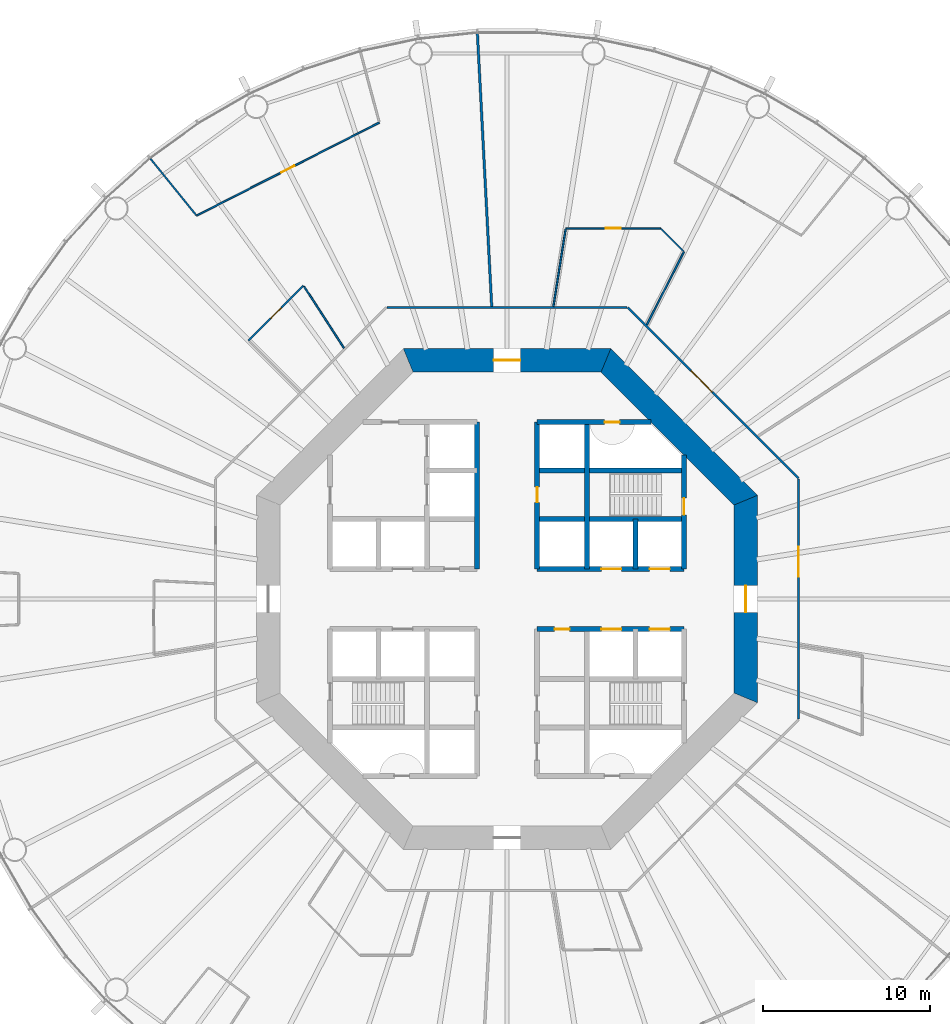
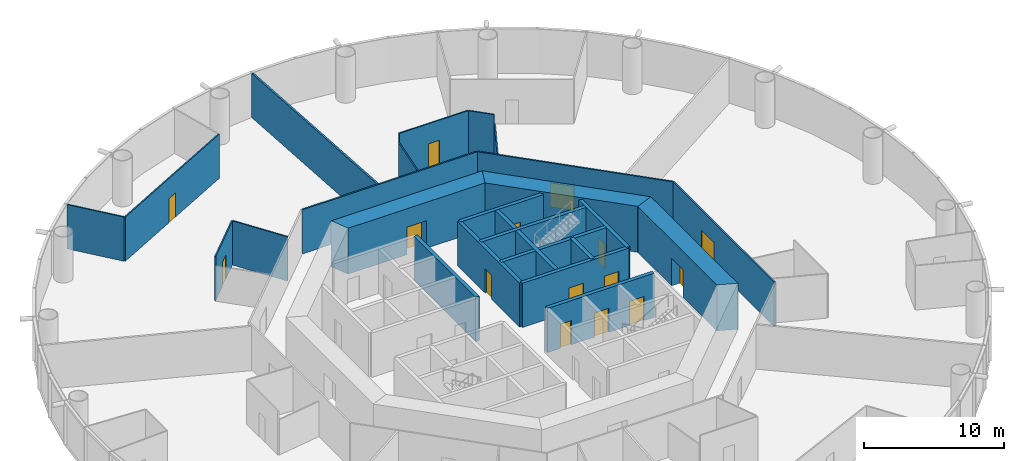
# One storey, part 5 of 13: 25 walls, 15 doors, 15 openings.
"""IFC4 building model written with IfcOpenShell, lengths in metres."""

from ifc_helpers import new_model, si_unit, direction, frame, frame_2d, origin, place, context, subcontext, project, spatial, polyline, rectangle, outline, extrude, material, layer, layer_set, type_object, element, fill, save


model = new_model("IFC4")

# Units and contexts
model_context = context("Model", 3, precision=1e-05, world=origin(), true_north=direction((0.0, 1.0)))
body_context = subcontext(model_context, "Body", "Model", "MODEL_VIEW")
ifc_project = project(units=[si_unit("LENGTHUNIT", "METRE"), si_unit("AREAUNIT", "SQUARE_METRE"), si_unit("VOLUMEUNIT", "CUBIC_METRE"), si_unit("PLANEANGLEUNIT", "RADIAN"), si_unit("MASSUNIT", "GRAM", prefix="KILO")], contexts=[model_context])

# Site, building, storey
site_placement = place(None, origin())
site = spatial("IfcSite", under=ifc_project, at=site_placement, CompositionType="ELEMENT")
building_placement = place(site_placement, origin())
building = spatial("IfcBuilding", under=site, at=building_placement, Name="Entoto Ring Tower", CompositionType="ELEMENT")
storey_placement = place(building_placement, frame((0.0, 0.0, 34.0)))
storey = spatial("IfcBuildingStorey", under=building, at=storey_placement, Name="L06", CompositionType="ELEMENT", Elevation=34.0)

# Wall, opening, door
ifc_material_1 = material(Name="Concrete C40/50", Category="concrete")
ifc_layer_1 = layer(ifc_material_1, 0.300048828125)
ifc_layer_set_1 = layer_set([ifc_layer_1], Name="Concrete C40/50")
wall_type_1 = type_object("IfcWallType", Name="Core enclosure wall 300 mm reinforced concrete", PredefinedType="SOLIDWALL", material=ifc_layer_set_1)
wall_1_placement = place(storey_placement, frame((100.60009765625, 81.800048828125, 0.0), z_axis=(0.0, 0.0, 1.0), x_axis=(0.0, 1.0, 0.0)))
wall_1 = element("IfcWall", 1, at=wall_1_placement, inside=storey, type_object=wall_type_1, Name="wall-L06-002", PredefinedType="SOLIDWALL", context=body_context, shape_type="SweptSolid", body=[
    extrude(rectangle(XDim=6.833251953125, YDim=0.300048828125, at=frame_2d((3.41650390625, 0.0))), origin(), (0.0, 0.0, 1.0), 3.85009765625),
])
opening_1_placement = place(wall_1_placement, frame((3.25, 0.0, 0.0)))
opening_1 = element("IfcOpeningElement", 2, at=opening_1_placement, cuts=wall_1, Name="Opening K-17", PredefinedType="OPENING", context=body_context, shape_type="SweptSolid", body=[
    extrude(rectangle(XDim=1.0, YDim=2.10009765625, at=frame_2d((0.5, 1.050048828125))), frame((0.0, 0.16015625, 0.0), z_axis=(0.0, -1.0, 0.0), x_axis=(1.0, 0.0, 0.0)), (0.0, 0.0, 1.0), 0.320068359375),
])
ifc_material_2 = material(Name="Steel door leaf, fire rated", Category="steel")
ifc_layer_2 = layer(ifc_material_2, 0.050048828125)
ifc_layer_set_2 = layer_set([ifc_layer_2], Name="Steel door leaf, fire rated")
door_type_1 = type_object("IfcDoorType", Name="Fire door FD60 1000 x 2100 single leaf", OperationType="NOTDEFINED", PredefinedType="DOOR", material=ifc_layer_set_2)
door_1_placement = place(opening_1_placement, origin())
door_1 = element("IfcDoor", 3, at=door_1_placement, inside=storey, type_object=door_type_1, Name="Door K-17", OperationType="SINGLE_SWING_RIGHT", OverallHeight=2.10009765625, OverallWidth=1.0, PredefinedType="DOOR", context=body_context, shape_type="SweptSolid", body=[
    extrude(rectangle(XDim=1.0, YDim=2.10009765625, at=frame_2d((0.5, 1.050048828125))), frame((0.0, 0.02490234375, 0.0), z_axis=(0.0, -1.0, 0.0), x_axis=(1.0, 0.0, 0.0)), (0.0, 0.0, 1.0), 0.050048828125),
])
fill(opening_1, door_1)

# Walls
wall_2_placement = place(storey_placement, frame((97.699951171875, 81.800048828125, 0.0), z_axis=(0.0, 0.0, 1.0), x_axis=(0.0, 1.0, 0.0)))
element("IfcWall", 4, at=wall_2_placement, inside=storey, type_object=wall_type_1, Name="wall-L06-004", PredefinedType="SOLIDWALL", context=body_context, shape_type="SweptSolid", body=[
    extrude(rectangle(XDim=3.0, YDim=0.300048828125, at=frame_2d((1.5, 0.0))), origin(), (0.0, 0.0, 1.0), 3.85009765625),
])
wall_3_placement = place(storey_placement, frame((94.800048828125, 81.800048828125, 0.0), z_axis=(0.0, 0.0, 1.0), x_axis=(0.0, 1.0, 0.0)))
element("IfcWall", 5, at=wall_3_placement, inside=storey, type_object=wall_type_1, Name="wall-L06-006", PredefinedType="SOLIDWALL", context=body_context, shape_type="SweptSolid", body=[
    extrude(rectangle(XDim=8.800048828125, YDim=0.300048828125, at=frame_2d((4.39990234375, 0.0))), origin(), (0.0, 0.0, 1.0), 3.85009765625),
])

# Wall, opening, door
wall_4_placement = place(storey_placement, frame((91.800048828125, 81.800048828125, 0.0), z_axis=(0.0, 0.0, 1.0), x_axis=(0.0, 1.0, 0.0)))
wall_4 = element("IfcWall", 6, at=wall_4_placement, inside=storey, type_object=wall_type_1, Name="wall-L06-008", PredefinedType="SOLIDWALL", context=body_context, shape_type="SweptSolid", body=[
    extrude(rectangle(XDim=8.800048828125, YDim=0.300048828125, at=frame_2d((4.39990234375, 0.0))), origin(), (0.0, 0.0, 1.0), 3.85009765625),
])
opening_2_placement = place(wall_4_placement, frame((4.0, 0.0, 0.0)))
opening_2 = element("IfcOpeningElement", 7, at=opening_2_placement, cuts=wall_4, Name="Opening K-11", PredefinedType="OPENING", context=body_context, shape_type="SweptSolid", body=[
    extrude(rectangle(XDim=0.89990234375, YDim=2.10009765625, at=frame_2d((0.449951171875, 1.050048828125))), frame((0.0, 0.16015625, 0.0), z_axis=(0.0, -1.0, 0.0), x_axis=(1.0, 0.0, 0.0)), (0.0, 0.0, 1.0), 0.320068359375),
])
ifc_material_3 = material(Name="Steel door leaf, fire rated", Category="steel")
ifc_layer_3 = layer(ifc_material_3, 0.050048828125)
ifc_layer_set_3 = layer_set([ifc_layer_3], Name="Steel door leaf, fire rated")
door_type_2 = type_object("IfcDoorType", Name="Core door 900 x 2100 single leaf", OperationType="NOTDEFINED", PredefinedType="DOOR", material=ifc_layer_set_3)
door_2_placement = place(opening_2_placement, origin())
door_2 = element("IfcDoor", 8, at=door_2_placement, inside=storey, type_object=door_type_2, Name="Door K-11", OperationType="SINGLE_SWING_RIGHT", OverallHeight=2.10009765625, OverallWidth=0.89990234375, PredefinedType="DOOR", context=body_context, shape_type="SweptSolid", body=[
    extrude(rectangle(XDim=0.89990234375, YDim=2.10009765625, at=frame_2d((0.449951171875, 1.050048828125))), frame((0.0, 0.02490234375, 0.0), z_axis=(0.0, -1.0, 0.0), x_axis=(1.0, 0.0, 0.0)), (0.0, 0.0, 1.0), 0.050048828125),
])
fill(opening_2, door_2)

# Wall
wall_5_placement = place(storey_placement, frame((88.199951171875, 81.800048828125, 0.0), z_axis=(0.0, 0.0, 1.0), x_axis=(0.0, 1.0, 0.0)))
element("IfcWall", 9, at=wall_5_placement, inside=storey, type_object=wall_type_1, Name="wall-L06-010", PredefinedType="SOLIDWALL", context=body_context, shape_type="SweptSolid", body=[
    extrude(rectangle(XDim=8.800048828125, YDim=0.300048828125, at=frame_2d((4.39990234375, 0.0))), origin(), (0.0, 0.0, 1.0), 3.85009765625),
])

# Wall, openings, doors
wall_6_placement = place(storey_placement, frame((91.800048828125, 78.199951171875, 0.0), z_axis=(0.0, 0.0, 1.0), x_axis=(1.0, 0.0, 0.0)))
wall_6 = element("IfcWall", 10, at=wall_6_placement, inside=storey, type_object=wall_type_1, Name="wall-L06-024", PredefinedType="SOLIDWALL", context=body_context, shape_type="SweptSolid", body=[
    extrude(rectangle(XDim=8.800048828125, YDim=0.300048828125, at=frame_2d((4.39990234375, 0.0))), origin(), (0.0, 0.0, 1.0), 3.85009765625),
])
opening_3_placement = place(wall_6_placement, frame((3.85009765625, 0.0, 0.0)))
opening_3 = element("IfcOpeningElement", 11, at=opening_3_placement, cuts=wall_6, Name="Opening LD", PredefinedType="OPENING", context=body_context, shape_type="SweptSolid", body=[
    extrude(rectangle(XDim=1.199951171875, YDim=2.10009765625, at=frame_2d((0.60009765625, 1.050048828125))), frame((0.0, 0.16015625, 0.0), z_axis=(0.0, -1.0, 0.0), x_axis=(1.0, 0.0, 0.0)), (0.0, 0.0, 1.0), 0.320068359375),
])
opening_4_placement = place(wall_6_placement, frame((6.75, 0.0, 0.0)))
opening_4 = element("IfcOpeningElement", 12, at=opening_4_placement, cuts=wall_6, Name="Opening LD", PredefinedType="OPENING", context=body_context, shape_type="SweptSolid", body=[
    extrude(rectangle(XDim=1.199951171875, YDim=2.10009765625, at=frame_2d((0.60009765625, 1.050048828125))), frame((0.0, 0.16015625, 0.0), z_axis=(0.0, -1.0, 0.0), x_axis=(1.0, 0.0, 0.0)), (0.0, 0.0, 1.0), 0.320068359375),
])
opening_5_placement = place(wall_6_placement, frame((1.050048828125, 0.0, 0.0)))
opening_5 = element("IfcOpeningElement", 13, at=opening_5_placement, cuts=wall_6, Name="Opening K-16", PredefinedType="OPENING", context=body_context, shape_type="SweptSolid", body=[
    extrude(rectangle(XDim=0.89990234375, YDim=2.10009765625, at=frame_2d((0.449951171875, 1.050048828125))), frame((0.0, 0.16015625, 0.0), z_axis=(0.0, -1.0, 0.0), x_axis=(1.0, 0.0, 0.0)), (0.0, 0.0, 1.0), 0.320068359375),
])
door_3_placement = place(opening_5_placement, frame((0.89990234375, 0.0, 0.0), z_axis=(0.0, 0.0, 1.0), x_axis=(-1.0, 0.0, 0.0)))
door_3 = element("IfcDoor", 14, at=door_3_placement, inside=storey, type_object=door_type_2, Name="Door K-16", OperationType="SINGLE_SWING_RIGHT", OverallHeight=2.10009765625, OverallWidth=0.89990234375, PredefinedType="DOOR", context=body_context, shape_type="SweptSolid", body=[
    extrude(rectangle(XDim=0.89990234375, YDim=2.10009765625, at=frame_2d((0.449951171875, 1.050048828125))), frame((0.0, 0.02490234375, 0.0), z_axis=(0.0, -1.0, 0.0), x_axis=(1.0, 0.0, 0.0)), (0.0, 0.0, 1.0), 0.050048828125),
])
fill(opening_5, door_3)
ifc_material_4 = material(Name="Steel and glass door leaf", Category="steel")
ifc_layer_4 = layer(ifc_material_4, 0.050048828125)
ifc_layer_set_4 = layer_set([ifc_layer_4], Name="Steel and glass door leaf")
door_type_3 = type_object("IfcDoorType", Name="Landing door 1200 x 2100 sliding", OperationType="DOUBLE_DOOR_SLIDING", PredefinedType="DOOR", material=ifc_layer_set_4)
door_4_placement = place(opening_3_placement, origin())
door_4 = element("IfcDoor", 15, at=door_4_placement, inside=storey, type_object=door_type_3, Name="Landing door LB4-LR", OperationType="SLIDING_TO_RIGHT", OverallHeight=2.10009765625, OverallWidth=1.199951171875, PredefinedType="DOOR", context=body_context, shape_type="SweptSolid", body=[
    extrude(rectangle(XDim=1.199951171875, YDim=2.10009765625, at=frame_2d((0.60009765625, 1.050048828125))), frame((0.0, 0.02490234375, 0.0), z_axis=(0.0, -1.0, 0.0), x_axis=(1.0, 0.0, 0.0)), (0.0, 0.0, 1.0), 0.050048828125),
])
fill(opening_3, door_4)
door_5_placement = place(opening_4_placement, origin())
door_5 = element("IfcDoor", 16, at=door_5_placement, inside=storey, type_object=door_type_3, Name="Landing door LB5-LR", OperationType="SLIDING_TO_RIGHT", OverallHeight=2.10009765625, OverallWidth=1.199951171875, PredefinedType="DOOR", context=body_context, shape_type="SweptSolid", body=[
    extrude(rectangle(XDim=1.199951171875, YDim=2.10009765625, at=frame_2d((0.60009765625, 1.050048828125))), frame((0.0, 0.02490234375, 0.0), z_axis=(0.0, -1.0, 0.0), x_axis=(1.0, 0.0, 0.0)), (0.0, 0.0, 1.0), 0.050048828125),
])
fill(opening_4, door_5)

wall_7_placement = place(storey_placement, frame((91.800048828125, 81.800048828125, 0.0), z_axis=(0.0, 0.0, 1.0), x_axis=(1.0, 0.0, 0.0)))
wall_7 = element("IfcWall", 17, at=wall_7_placement, inside=storey, type_object=wall_type_1, Name="wall-L06-026", PredefinedType="SOLIDWALL", context=body_context, shape_type="SweptSolid", body=[
    extrude(rectangle(XDim=8.800048828125, YDim=0.300048828125, at=frame_2d((4.39990234375, 0.0))), origin(), (0.0, 0.0, 1.0), 3.85009765625),
])
opening_6_placement = place(wall_7_placement, frame((3.85009765625, 0.0, 0.0)))
opening_6 = element("IfcOpeningElement", 18, at=opening_6_placement, cuts=wall_7, Name="Opening LD", PredefinedType="OPENING", context=body_context, shape_type="SweptSolid", body=[
    extrude(rectangle(XDim=1.199951171875, YDim=2.10009765625, at=frame_2d((0.60009765625, 1.050048828125))), frame((0.0, 0.16015625, 0.0), z_axis=(0.0, -1.0, 0.0), x_axis=(1.0, 0.0, 0.0)), (0.0, 0.0, 1.0), 0.320068359375),
])
opening_7_placement = place(wall_7_placement, frame((6.75, 0.0, 0.0)))
opening_7 = element("IfcOpeningElement", 19, at=opening_7_placement, cuts=wall_7, Name="Opening LD", PredefinedType="OPENING", context=body_context, shape_type="SweptSolid", body=[
    extrude(rectangle(XDim=1.199951171875, YDim=2.10009765625, at=frame_2d((0.60009765625, 1.050048828125))), frame((0.0, 0.16015625, 0.0), z_axis=(0.0, -1.0, 0.0), x_axis=(1.0, 0.0, 0.0)), (0.0, 0.0, 1.0), 0.320068359375),
])
door_6_placement = place(opening_6_placement, origin())
door_6 = element("IfcDoor", 20, at=door_6_placement, inside=storey, type_object=door_type_3, Name="Landing door LB1-LR", OperationType="SLIDING_TO_RIGHT", OverallHeight=2.10009765625, OverallWidth=1.199951171875, PredefinedType="DOOR", context=body_context, shape_type="SweptSolid", body=[
    extrude(rectangle(XDim=1.199951171875, YDim=2.10009765625, at=frame_2d((0.60009765625, 1.050048828125))), frame((0.0, 0.02490234375, 0.0), z_axis=(0.0, -1.0, 0.0), x_axis=(1.0, 0.0, 0.0)), (0.0, 0.0, 1.0), 0.050048828125),
])
fill(opening_6, door_6)
door_7_placement = place(opening_7_placement, origin())
door_7 = element("IfcDoor", 21, at=door_7_placement, inside=storey, type_object=door_type_3, Name="Landing door LB2-LR", OperationType="SLIDING_TO_RIGHT", OverallHeight=2.10009765625, OverallWidth=1.199951171875, PredefinedType="DOOR", context=body_context, shape_type="SweptSolid", body=[
    extrude(rectangle(XDim=1.199951171875, YDim=2.10009765625, at=frame_2d((0.60009765625, 1.050048828125))), frame((0.0, 0.02490234375, 0.0), z_axis=(0.0, -1.0, 0.0), x_axis=(1.0, 0.0, 0.0)), (0.0, 0.0, 1.0), 0.050048828125),
])
fill(opening_7, door_7)

# Walls
for number, where, z_axis, x_axis, name in (
    (22, (91.800048828125, 84.800048828125, 0.0), (0.0, 0.0, 1.0), (1.0, 0.0, 0.0), "wall-L06-028"),
    (23, (91.800048828125, 87.699951171875, 0.0), (0.0, 0.0, 1.0), (1.0, 0.0, 0.0), "wall-L06-030"),
):
    element("IfcWall", number, at=place(storey_placement, frame(where, z_axis=z_axis, x_axis=x_axis)), inside=storey, type_object=wall_type_1, Name=name, PredefinedType="SOLIDWALL", context=body_context, shape_type="SweptSolid", body=[
        extrude(rectangle(XDim=8.800048828125, YDim=0.300048828125, at=frame_2d((4.39990234375, 0.0))), origin(), (0.0, 0.0, 1.0), 3.85009765625),
    ])

# Wall, opening, door
wall_8_placement = place(storey_placement, frame((91.800048828125, 90.60009765625, 0.0), z_axis=(0.0, 0.0, 1.0), x_axis=(1.0, 0.0, 0.0)))
wall_8 = element("IfcWall", 24, at=wall_8_placement, inside=storey, type_object=wall_type_1, Name="wall-L06-032", PredefinedType="SOLIDWALL", context=body_context, shape_type="SweptSolid", body=[
    extrude(rectangle(XDim=6.833251953125, YDim=0.300048828125, at=frame_2d((3.41650390625, 0.0))), origin(), (0.0, 0.0, 1.0), 3.85009765625),
])
opening_8_placement = place(wall_8_placement, frame((4.050048828125, 0.0, 0.0)))
opening_8 = element("IfcOpeningElement", 25, at=opening_8_placement, cuts=wall_8, Name="Opening K-20", PredefinedType="OPENING", context=body_context, shape_type="SweptSolid", body=[
    extrude(rectangle(XDim=0.89990234375, YDim=2.10009765625, at=frame_2d((0.449951171875, 1.050048828125))), frame((0.0, 0.16015625, 0.0), z_axis=(0.0, -1.0, 0.0), x_axis=(1.0, 0.0, 0.0)), (0.0, 0.0, 1.0), 0.320068359375),
])
ifc_material_5 = material(Name="Steel door leaf, fire rated", Category="steel")
ifc_layer_5 = layer(ifc_material_5, 0.050048828125)
ifc_layer_set_5 = layer_set([ifc_layer_5], Name="Steel door leaf, fire rated")
door_type_4 = type_object("IfcDoorType", Name="Riser door FD60 900 x 2100 single leaf", OperationType="NOTDEFINED", PredefinedType="DOOR", material=ifc_layer_set_5)
door_8_placement = place(opening_8_placement, frame((0.89990234375, 0.0, 0.0), z_axis=(0.0, 0.0, 1.0), x_axis=(-1.0, 0.0, 0.0)))
door_8 = element("IfcDoor", 26, at=door_8_placement, inside=storey, type_object=door_type_4, Name="Door K-20", OperationType="SINGLE_SWING_LEFT", OverallHeight=2.10009765625, OverallWidth=0.89990234375, PredefinedType="DOOR", context=body_context, shape_type="SweptSolid", body=[
    extrude(rectangle(XDim=0.89990234375, YDim=2.10009765625, at=frame_2d((0.449951171875, 1.050048828125))), frame((0.0, 0.02490234375, 0.0), z_axis=(0.0, -1.0, 0.0), x_axis=(1.0, 0.0, 0.0)), (0.0, 0.0, 1.0), 0.050048828125),
])
fill(opening_8, door_8)

ifc_material_6 = material(Name="Concrete C60/75", Category="concrete")
ifc_layer_6 = layer(ifc_material_6, 1.39990234375)
ifc_layer_set_6 = layer_set([ifc_layer_6], Name="Concrete C60/75")
wall_type_2 = type_object("IfcWallType", Name="Core shear wall 1400 mm reinforced concrete C60/75", PredefinedType="SHEAR", material=ifc_layer_set_6)
wall_9_placement = place(storey_placement, frame((104.300048828125, 74.07666015625, 0.0), z_axis=(0.0, 0.0, 1.0), x_axis=(0.0, 1.0, 0.0)))
wall_9 = element("IfcWall", 27, at=wall_9_placement, inside=storey, type_object=wall_type_2, Name="wall-L06-core-0", PredefinedType="SHEAR", context=body_context, shape_type="SweptSolid", body=[
    extrude(outline(polyline([(-0.2900390625, -0.699951171875), (12.13671875, -0.699951171875), (11.556640625, 0.699951171875), (0.2900390625, 0.699951171875), (-0.2900390625, -0.699951171875)])), origin(), (0.0, 0.0, 1.0), 4.0),
])
opening_9_placement = place(wall_9_placement, frame((5.123291015625, 0.0, 0.0)))
opening_9 = element("IfcOpeningElement", 28, at=opening_9_placement, cuts=wall_9, Name="Opening K-01", PredefinedType="OPENING", context=body_context, shape_type="SweptSolid", body=[
    extrude(rectangle(XDim=1.60009765625, YDim=2.39990234375, at=frame_2d((0.800048828125, 1.199951171875))), frame((0.0, 0.7099609375, 0.0), z_axis=(0.0, -1.0, 0.0), x_axis=(1.0, 0.0, 0.0)), (0.0, 0.0, 1.0), 1.419921875),
])
ifc_material_7 = material(Name="Steel door leaf, fire rated", Category="steel")
ifc_layer_7 = layer(ifc_material_7, 0.050048828125)
ifc_layer_set_7 = layer_set([ifc_layer_7], Name="Steel door leaf, fire rated")
door_type_5 = type_object("IfcDoorType", Name="Entrance door FD60 1600 x 2400 double leaf", OperationType="DOUBLE_DOOR_SINGLE_SWING", PredefinedType="DOOR", material=ifc_layer_set_7)
door_9_placement = place(opening_9_placement, origin())
door_9 = element("IfcDoor", 29, at=door_9_placement, inside=storey, type_object=door_type_5, Name="Entrance door K-01", OperationType="DOUBLE_DOOR_SINGLE_SWING", OverallHeight=2.39990234375, OverallWidth=1.60009765625, PredefinedType="DOOR", context=body_context, shape_type="SweptSolid", body=[
    extrude(rectangle(XDim=1.60009765625, YDim=2.39990234375, at=frame_2d((0.800048828125, 1.199951171875))), frame((0.0, 0.02490234375, 0.0), z_axis=(0.0, -1.0, 0.0), x_axis=(1.0, 0.0, 0.0)), (0.0, 0.0, 1.0), 0.050048828125),
])
fill(opening_9, door_9)

# Wall
wall_10_placement = place(storey_placement, frame((104.300048828125, 85.92333984375, 0.0), z_axis=(0.0, 0.0, 1.0), x_axis=(-0.707106781187, 0.707106781187, 0.0)))
element("IfcWall", 30, at=wall_10_placement, inside=storey, type_object=wall_type_2, Name="wall-L06-core-1", PredefinedType="SHEAR", context=body_context, shape_type="SweptSolid", body=[
    extrude(outline(polyline([(-0.2900390625, -0.699951171875), (12.136474609375, -0.699951171875), (11.556396484375, 0.699951171875), (0.2900390625, 0.699951171875), (-0.2900390625, -0.699951171875)])), origin(), (0.0, 0.0, 1.0), 4.0),
])

# Wall, opening, door
wall_11_placement = place(storey_placement, frame((95.92333984375, 94.300048828125, 0.0), z_axis=(0.0, 0.0, 1.0), x_axis=(-1.0, 0.0, 0.0)))
wall_11 = element("IfcWall", 31, at=wall_11_placement, inside=storey, type_object=wall_type_2, Name="wall-L06-core-2", PredefinedType="SHEAR", context=body_context, shape_type="SweptSolid", body=[
    extrude(outline(polyline([(-0.2900390625, -0.699951171875), (12.13671875, -0.699951171875), (11.556640625, 0.699951171875), (0.2900390625, 0.699951171875), (-0.2900390625, -0.699951171875)])), origin(), (0.0, 0.0, 1.0), 4.0),
])
opening_10_placement = place(wall_11_placement, frame((5.123291015625, 0.0, 0.0)))
opening_10 = element("IfcOpeningElement", 32, at=opening_10_placement, cuts=wall_11, Name="Opening K-02", PredefinedType="OPENING", context=body_context, shape_type="SweptSolid", body=[
    extrude(rectangle(XDim=1.60009765625, YDim=2.39990234375, at=frame_2d((0.800048828125, 1.199951171875))), frame((0.0, 0.7099609375, 0.0), z_axis=(0.0, -1.0, 0.0), x_axis=(1.0, 0.0, 0.0)), (0.0, 0.0, 1.0), 1.419921875),
])
door_10_placement = place(opening_10_placement, origin())
door_10 = element("IfcDoor", 33, at=door_10_placement, inside=storey, type_object=door_type_5, Name="Entrance door K-02", OperationType="DOUBLE_DOOR_SINGLE_SWING", OverallHeight=2.39990234375, OverallWidth=1.60009765625, PredefinedType="DOOR", context=body_context, shape_type="SweptSolid", body=[
    extrude(rectangle(XDim=1.60009765625, YDim=2.39990234375, at=frame_2d((0.800048828125, 1.199951171875))), frame((0.0, 0.02490234375, 0.0), z_axis=(0.0, -1.0, 0.0), x_axis=(1.0, 0.0, 0.0)), (0.0, 0.0, 1.0), 0.050048828125),
])
fill(opening_10, door_10)

ifc_material_8 = material(Name="Fire-resisting plasterboard on steel studs", Category="steel")
ifc_layer_8 = layer(ifc_material_8, 0.125)
ifc_layer_set_8 = layer_set([ifc_layer_8], Name="Fire-resisting plasterboard on steel studs")
wall_type_3 = type_object("IfcWallType", Name="Corridor wall 125 mm one-hour plasterboard on steel studs", PredefinedType="PARTITIONING", material=ifc_layer_set_8)
wall_12_placement = place(storey_placement, frame((107.46240234375, 87.233154296875, 0.0), z_axis=(0.0, 0.0, 1.0), x_axis=(-0.707106781187, 0.707106781187, 0.0)))
wall_12 = element("IfcWall", 34, at=wall_12_placement, inside=storey, type_object=wall_type_3, Name="partition-L06-004", PredefinedType="PARTITIONING", context=body_context, shape_type="SweptSolid", body=[
    extrude(rectangle(XDim=14.46630859375, YDim=0.125, at=frame_2d((7.233154296875, 0.0))), origin(), (0.0, 0.0, 1.0), 3.85009765625),
])
opening_11_placement = place(wall_12_placement, frame((7.314208984375, 0.0, 0.0)))
opening_11 = element("IfcOpeningElement", 35, at=opening_11_placement, cuts=wall_12, Name="Opening A03-D10", PredefinedType="OPENING", context=body_context, shape_type="SweptSolid", body=[
    extrude(rectangle(XDim=1.800048828125, YDim=2.10009765625, at=frame_2d((0.89990234375, 1.050048828125))), frame((0.0, 0.072509765625, 0.0), z_axis=(0.0, -1.0, 0.0), x_axis=(1.0, 0.0, 0.0)), (0.0, 0.0, 1.0), 0.14501953125),
])
ifc_material_9 = material(Name="Fire-resisting timber door set", Category="wood")
door_type_6 = type_object("IfcDoorType", Name="Door 1800 x 2100 double leaf FD30S fire door", OperationType="DOUBLE_DOOR_SINGLE_SWING", PredefinedType="DOOR", material=ifc_material_9)
door_11_placement = place(opening_11_placement, frame((1.800048828125, 0.0, 0.0), z_axis=(0.0, 0.0, 1.0), x_axis=(-1.0, 0.0, 0.0)))
door_11 = element("IfcDoor", 36, at=door_11_placement, inside=storey, type_object=door_type_6, Name="Door A03-D10", OperationType="DOUBLE_DOOR_SINGLE_SWING", OverallHeight=2.10009765625, OverallWidth=1.800048828125, PredefinedType="DOOR", context=body_context, shape_type="SweptSolid", body=[
    extrude(rectangle(XDim=1.800048828125, YDim=2.10009765625, at=frame_2d((0.89990234375, 1.050048828125))), frame((0.0, 0.02490234375, 0.0), z_axis=(0.0, -1.0, 0.0), x_axis=(1.0, 0.0, 0.0)), (0.0, 0.0, 1.0), 0.050048828125),
])
fill(opening_11, door_11)

# Wall
wall_13_placement = place(storey_placement, frame((82.810791015625, 97.46240234375, 0.0), z_axis=(0.0, 0.0, 1.0), x_axis=(1.0, 0.0, 0.0)))
element("IfcWall", 37, at=wall_13_placement, inside=storey, type_object=wall_type_3, Name="partition-L06-007", PredefinedType="PARTITIONING", context=body_context, shape_type="SweptSolid", body=[
    extrude(rectangle(XDim=14.37841796875, YDim=0.125, at=frame_2d((7.189208984375, 0.0))), origin(), (0.0, 0.0, 1.0), 3.85009765625),
])

# Wall, opening, door
wall_14_placement = place(storey_placement, frame((107.46240234375, 72.810791015625, 0.0), z_axis=(0.0, 0.0, 1.0), x_axis=(0.0, 1.0, 0.0)))
wall_14 = element("IfcWall", 38, at=wall_14_placement, inside=storey, type_object=wall_type_3, Name="partition-L06-008", PredefinedType="PARTITIONING", context=body_context, shape_type="SweptSolid", body=[
    extrude(rectangle(XDim=14.37841796875, YDim=0.125, at=frame_2d((7.189208984375, 0.0))), origin(), (0.0, 0.0, 1.0), 3.85009765625),
])
opening_12_placement = place(wall_14_placement, frame((8.52294921875, 0.0, 0.0)))
opening_12 = element("IfcOpeningElement", 39, at=opening_12_placement, cuts=wall_14, Name="Opening A03-D07", PredefinedType="OPENING", context=body_context, shape_type="SweptSolid", body=[
    extrude(rectangle(XDim=1.800048828125, YDim=2.10009765625, at=frame_2d((0.89990234375, 1.050048828125))), frame((0.0, 0.072509765625, 0.0), z_axis=(0.0, -1.0, 0.0), x_axis=(1.0, 0.0, 0.0)), (0.0, 0.0, 1.0), 0.14501953125),
])
door_12_placement = place(opening_12_placement, origin())
door_12 = element("IfcDoor", 40, at=door_12_placement, inside=storey, type_object=door_type_6, Name="Door A03-D07", OperationType="DOUBLE_DOOR_SINGLE_SWING", OverallHeight=2.10009765625, OverallWidth=1.800048828125, PredefinedType="DOOR", context=body_context, shape_type="SweptSolid", body=[
    extrude(rectangle(XDim=1.800048828125, YDim=2.10009765625, at=frame_2d((0.89990234375, 1.050048828125))), frame((0.0, 0.02490234375, 0.0), z_axis=(0.0, -1.0, 0.0), x_axis=(1.0, 0.0, 0.0)), (0.0, 0.0, 1.0), 0.050048828125),
])
fill(opening_12, door_12)

ifc_material_10 = material(Name="Plasterboard on steel studs", Category="steel")
ifc_layer_9 = layer(ifc_material_10, 0.10009765625)
ifc_layer_set_9 = layer_set([ifc_layer_9], Name="Plasterboard on steel studs")
wall_type_4 = type_object("IfcWallType", Name="Partition 100 mm plasterboard on steel studs", PredefinedType="PARTITIONING", material=ifc_layer_set_9)
wall_15_placement = place(storey_placement, frame((71.397216796875, 102.972412109375, 0.0), z_axis=(0.0, 0.0, 1.0), x_axis=(0.891009028194, 0.453985585319, 0.0)))
wall_15 = element("IfcWall", 41, at=wall_15_placement, inside=storey, type_object=wall_type_4, Name="partition-L06-015", PredefinedType="PARTITIONING", context=body_context, shape_type="SweptSolid", body=[
    extrude(rectangle(XDim=12.291748046875, YDim=0.10009765625, at=frame_2d((6.14599609375, 0.0))), origin(), (0.0, 0.0, 1.0), 3.85009765625),
])
opening_13_placement = place(wall_15_placement, frame((5.69580078125, 0.0, 0.0)))
opening_13 = element("IfcOpeningElement", 42, at=opening_13_placement, cuts=wall_15, Name="Opening A03-D15", PredefinedType="OPENING", context=body_context, shape_type="SweptSolid", body=[
    extrude(rectangle(XDim=0.89990234375, YDim=2.10009765625, at=frame_2d((0.449951171875, 1.050048828125))), frame((0.0, 0.06005859375, 0.0), z_axis=(0.0, -1.0, 0.0), x_axis=(1.0, 0.0, 0.0)), (0.0, 0.0, 1.0), 0.1201171875),
])
ifc_material_11 = material(Name="Veneered timber door leaf in timber frame", Category="wood")
door_type_7 = type_object("IfcDoorType", Name="Door 900 x 2100 single leaf timber veneer", OperationType="NOTDEFINED", PredefinedType="DOOR", material=ifc_material_11)
door_13_placement = place(opening_13_placement, origin())
door_13 = element("IfcDoor", 43, at=door_13_placement, inside=storey, type_object=door_type_7, Name="Door A03-D15", OperationType="SINGLE_SWING_RIGHT", OverallHeight=2.10009765625, OverallWidth=0.89990234375, PredefinedType="DOOR", context=body_context, shape_type="SweptSolid", body=[
    extrude(rectangle(XDim=0.89990234375, YDim=2.10009765625, at=frame_2d((0.449951171875, 1.050048828125))), frame((0.0, 0.02490234375, 0.0), z_axis=(0.0, -1.0, 0.0), x_axis=(1.0, 0.0, 0.0)), (0.0, 0.0, 1.0), 0.050048828125),
])
fill(opening_13, door_13)

wall_16_placement = place(storey_placement, frame((93.51806640625, 102.21240234375, 0.0), z_axis=(0.0, 0.0, 1.0), x_axis=(1.0, 0.0, 0.0)))
wall_16 = element("IfcWall", 44, at=wall_16_placement, inside=storey, type_object=wall_type_4, Name="partition-L06-020", PredefinedType="PARTITIONING", context=body_context, shape_type="SweptSolid", body=[
    extrude(rectangle(XDim=5.6826171875, YDim=0.10009765625, at=frame_2d((2.84130859375, 0.0))), origin(), (0.0, 0.0, 1.0), 3.85009765625),
])
opening_14_placement = place(wall_16_placement, frame((2.391357421875, 0.0, 0.0)))
opening_14 = element("IfcOpeningElement", 45, at=opening_14_placement, cuts=wall_16, Name="Opening A03-D11", PredefinedType="OPENING", context=body_context, shape_type="SweptSolid", body=[
    extrude(rectangle(XDim=0.89990234375, YDim=2.10009765625, at=frame_2d((0.449951171875, 1.050048828125))), frame((0.0, 0.06005859375, 0.0), z_axis=(0.0, -1.0, 0.0), x_axis=(1.0, 0.0, 0.0)), (0.0, 0.0, 1.0), 0.1201171875),
])
door_14_placement = place(opening_14_placement, frame((0.89990234375, 0.0, 0.0), z_axis=(0.0, 0.0, 1.0), x_axis=(-1.0, 0.0, 0.0)))
door_14 = element("IfcDoor", 46, at=door_14_placement, inside=storey, type_object=door_type_7, Name="Door A03-D11", OperationType="SINGLE_SWING_RIGHT", OverallHeight=2.10009765625, OverallWidth=0.89990234375, PredefinedType="DOOR", context=body_context, shape_type="SweptSolid", body=[
    extrude(rectangle(XDim=0.89990234375, YDim=2.10009765625, at=frame_2d((0.449951171875, 1.050048828125))), frame((0.0, 0.02490234375, 0.0), z_axis=(0.0, -1.0, 0.0), x_axis=(1.0, 0.0, 0.0)), (0.0, 0.0, 1.0), 0.050048828125),
])
fill(opening_14, door_14)

wall_17_placement = place(storey_placement, frame((74.5126953125, 95.4873046875, 0.0), z_axis=(0.0, 0.0, 1.0), x_axis=(0.707080559512, 0.707133001889, 0.0)))
wall_17 = element("IfcWall", 47, at=wall_17_placement, inside=storey, type_object=wall_type_4, Name="partition-L06-031", PredefinedType="PARTITIONING", context=body_context, shape_type="SweptSolid", body=[
    extrude(rectangle(XDim=4.655517578125, YDim=0.10009765625, at=frame_2d((2.32763671875, 0.0))), origin(), (0.0, 0.0, 1.0), 3.85009765625),
])
opening_15_placement = place(wall_17_placement, frame((1.877685546875, 0.0, 0.0)))
opening_15 = element("IfcOpeningElement", 48, at=opening_15_placement, cuts=wall_17, Name="Opening A03-D14", PredefinedType="OPENING", context=body_context, shape_type="SweptSolid", body=[
    extrude(rectangle(XDim=0.89990234375, YDim=2.10009765625, at=frame_2d((0.449951171875, 1.050048828125))), frame((0.0, 0.06005859375, 0.0), z_axis=(0.0, -1.0, 0.0), x_axis=(1.0, 0.0, 0.0)), (0.0, 0.0, 1.0), 0.1201171875),
])
door_15_placement = place(opening_15_placement, frame((0.89990234375, 0.0, 0.0), z_axis=(0.0, 0.0, 1.0), x_axis=(-1.0, 0.0, 0.0)))
door_15 = element("IfcDoor", 49, at=door_15_placement, inside=storey, type_object=door_type_7, Name="Door A03-D14", OperationType="SINGLE_SWING_LEFT", OverallHeight=2.10009765625, OverallWidth=0.89990234375, PredefinedType="DOOR", context=body_context, shape_type="SweptSolid", body=[
    extrude(rectangle(XDim=0.89990234375, YDim=2.10009765625, at=frame_2d((0.449951171875, 1.050048828125))), frame((0.0, 0.02490234375, 0.0), z_axis=(0.0, -1.0, 0.0), x_axis=(1.0, 0.0, 0.0)), (0.0, 0.0, 1.0), 0.050048828125),
])
fill(opening_15, door_15)

# Walls
wall_18_placement = place(storey_placement, frame((80.236083984375, 95.034912109375, 0.0), z_axis=(0.0, 0.0, 1.0), x_axis=(-0.544602403746, 0.838694355433, 0.0)))
element("IfcWall", 50, at=wall_18_placement, inside=storey, type_object=wall_type_4, Name="partition-L06-034", PredefinedType="PARTITIONING", context=body_context, shape_type="SweptSolid", body=[
    extrude(rectangle(XDim=4.403076171875, YDim=0.10009765625, at=frame_2d((2.20166015625, 0.0))), origin(), (0.0, 0.0, 1.0), 3.85009765625),
])
wall_19_placement = place(storey_placement, frame((71.36669921875, 103.010498046875, 0.0), z_axis=(0.0, 0.0, 1.0), x_axis=(-0.62936523768, 0.777109643229, 0.0)))
element("IfcWall", 51, at=wall_19_placement, inside=storey, type_object=wall_type_4, Name="partition-L06-038", PredefinedType="PARTITIONING", context=body_context, shape_type="SweptSolid", body=[
    extrude(rectangle(XDim=4.3310546875, YDim=0.10009765625, at=frame_2d((2.16552734375, 0.0))), origin(), (0.0, 0.0, 1.0), 3.85009765625),
])
wall_20_placement = place(storey_placement, frame((100.569580078125, 100.843505859375, 0.0), z_axis=(0.0, 0.0, 1.0), x_axis=(-0.707042560054, 0.707170996487, 0.0)))
element("IfcWall", 52, at=wall_20_placement, inside=storey, type_object=wall_type_4, Name="partition-L06-052", PredefinedType="PARTITIONING", context=body_context, shape_type="SweptSolid", body=[
    extrude(rectangle(XDim=1.90087890625, YDim=0.10009765625, at=frame_2d((0.950439453125, 0.0))), origin(), (0.0, 0.0, 1.0), 3.85009765625),
])
ifc_material_12 = material(Name="Plasterboard on steel studs", Category="steel")
ifc_layer_10 = layer(ifc_material_12, 0.10009765625)
ifc_layer_set_10 = layer_set([ifc_layer_10], Name="Plasterboard on steel studs")
wall_type_5 = type_object("IfcWallType", Name="Partition 100 mm plasterboard on steel studs, 3050 mm high", PredefinedType="PARTITIONING", material=ifc_layer_set_10)
wall_21_placement = place(storey_placement, frame((98.372802734375, 96.432861328125, 0.0), z_axis=(0.0, 0.0, 1.0), x_axis=(0.454018835255, 0.890992085955, 0.0)))
element("IfcWall", 53, at=wall_21_placement, inside=storey, type_object=wall_type_5, Name="partition-L06-025", PredefinedType="PARTITIONING", context=body_context, shape_type="SweptSolid", body=[
    extrude(rectangle(XDim=4.912841796875, YDim=0.10009765625, at=frame_2d((2.45654296875, 0.0))), origin(), (0.0, 0.0, 1.0), 3.050048828125),
])
wall_22_placement = place(storey_placement, frame((92.77685546875, 97.53271484375, 0.0), z_axis=(0.0, 0.0, 1.0), x_axis=(0.156465223402, 0.987683468458, 0.0)))
element("IfcWall", 54, at=wall_22_placement, inside=storey, type_object=wall_type_5, Name="partition-L06-028", PredefinedType="PARTITIONING", context=body_context, shape_type="SweptSolid", body=[
    extrude(rectangle(XDim=4.68896484375, YDim=0.10009765625, at=frame_2d((2.344482421875, 0.0))), origin(), (0.0, 0.0, 1.0), 3.050048828125),
])
ifc_material_13 = material(Name="Fire-resisting acoustic plasterboard on steel studs", Category="steel")
ifc_layer_11 = layer(ifc_material_13, 0.14990234375)
ifc_layer_set_11 = layer_set([ifc_layer_11], Name="Fire-resisting acoustic plasterboard on steel studs")
wall_type_6 = type_object("IfcWallType", Name="Party wall 150 mm one-hour acoustic plasterboard on steel studs", PredefinedType="PARTITIONING", material=ifc_layer_set_11)
wall_23_placement = place(storey_placement, frame((89.081298828125, 97.52880859375, 0.0), z_axis=(0.0, 0.0, 1.0), x_axis=(-0.052337539372, 0.998629451785, 0.0)))
element("IfcWall", 55, at=wall_23_placement, inside=storey, type_object=wall_type_6, Name="partition-L06-010", PredefinedType="PARTITIONING", context=body_context, shape_type="SweptSolid", body=[
    extrude(rectangle(XDim=16.38720703125, YDim=0.14990234375, at=frame_2d((8.193603515625, 0.0))), origin(), (0.0, 0.0, 1.0), 3.85009765625),
])

save(model, "model.ifc")
